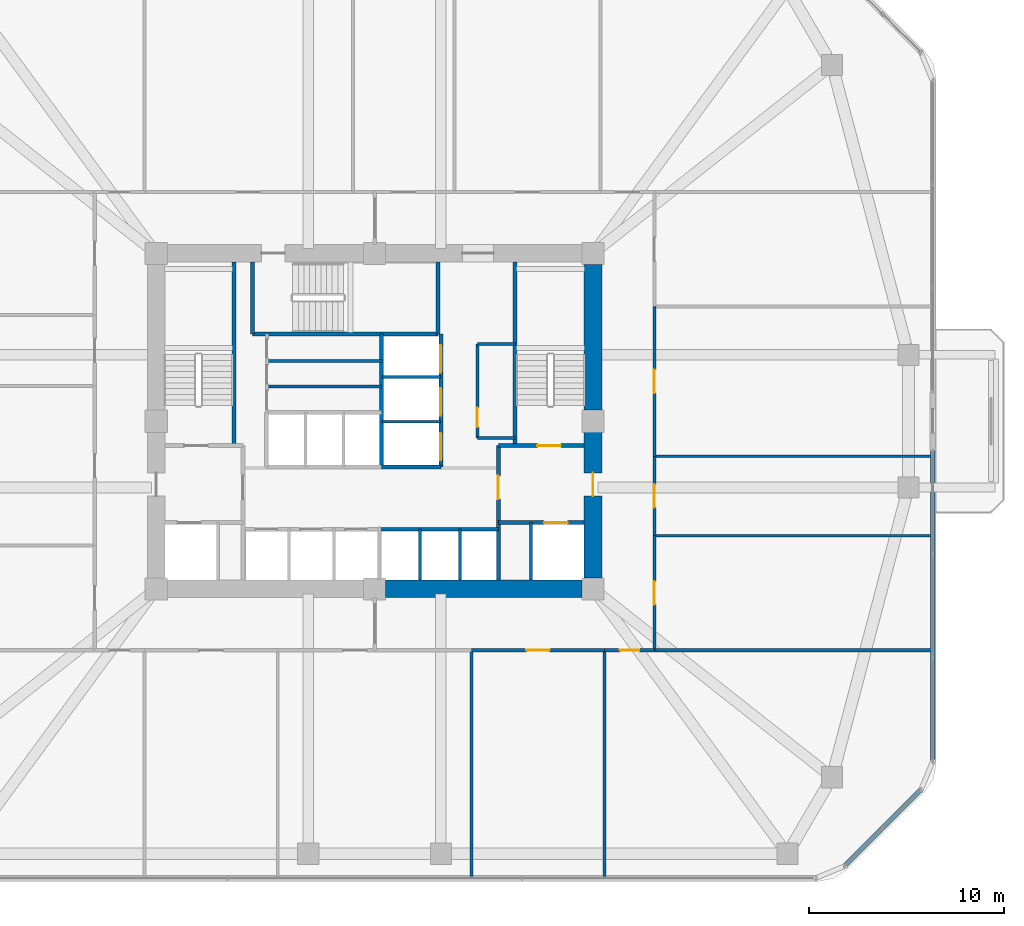
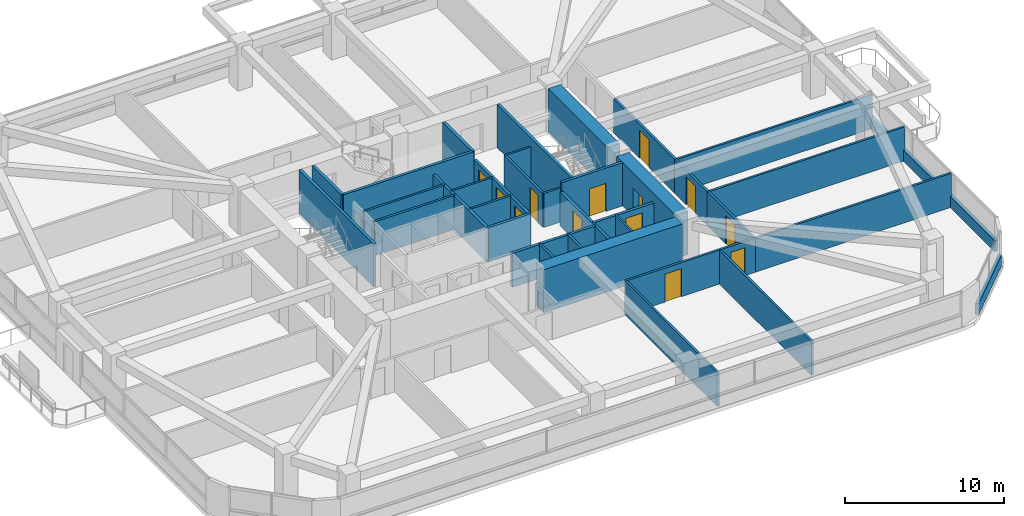
# One storey, part 11 of 15: 37 walls, 13 doors, 13 openings.
"""IFC4 building model written with IfcOpenShell, lengths in metres."""

from ifc_helpers import new_model, si_unit, derived_unit, direction, frame, frame_2d, origin, place, context, subcontext, project, spatial, rectangle, extrude, material, layer, layer_set, type_object, element, fill, save


model = new_model("IFC4")

# Units and contexts
model_context = context("Model", 3, precision=1e-05, world=origin(), true_north=direction((0.0, 1.0)))
body_context = subcontext(model_context, "Body", "Model", "MODEL_VIEW")
ifc_project = project(units=[si_unit("LENGTHUNIT", "METRE"), si_unit("AREAUNIT", "SQUARE_METRE"), si_unit("VOLUMEUNIT", "CUBIC_METRE"), si_unit("PLANEANGLEUNIT", "RADIAN"), si_unit("MASSUNIT", "GRAM", prefix="KILO"), derived_unit("THERMALTRANSMITTANCEUNIT", [(si_unit("POWERUNIT", "WATT"), 1), (si_unit("LENGTHUNIT", "METRE"), -2), (si_unit("THERMODYNAMICTEMPERATUREUNIT", "KELVIN"), -1)])], contexts=[model_context])

# Site, building, storey
site_placement = place(None, origin())
site = spatial("IfcSite", under=ifc_project, at=site_placement, CompositionType="ELEMENT")
building_placement = place(site_placement, origin())
building = spatial("IfcBuilding", under=site, at=building_placement, Name="Koralith Skygarden Medical Center", CompositionType="ELEMENT")
storey_placement = place(building_placement, frame((0.0, 0.0, 41.93994140625)))
storey = spatial("IfcBuildingStorey", under=building, at=storey_placement, Name="L10", CompositionType="ELEMENT", Elevation=41.93994140625)

# Wall, opening, door
ifc_material_1 = material(Name="Gypsum Board Partition")
ifc_layer_1 = layer(ifc_material_1, 0.14990234375)
ifc_layer_set_1 = layer_set([ifc_layer_1], Name="Gypsum Board Partition")
wall_type_1 = type_object("IfcWallType", Name="Clinical Acoustic Partition 150", PredefinedType="PARTITIONING", material=ifc_layer_set_1)
wall_1_placement = place(storey_placement, frame((42.27001953125, 25.0400390625, 0.0), z_axis=(0.0, 0.0, 1.0), x_axis=(0.0, 1.0, 0.0)))
wall_1 = element("IfcWall", 1, at=wall_1_placement, inside=storey, type_object=wall_type_1, Name="L10 Clinical Acoustic Partition 150 W-CORE-L10-ESUB-W", PredefinedType="PARTITIONING", context=body_context, shape_type="SweptSolid", body=[
    extrude(rectangle(XDim=4.820068359375, YDim=0.14990234375, at=frame_2d((2.41015625, 0.0))), origin(), (0.0, 0.0, 1.0), 2.610107421875),
])
opening_1_placement = place(wall_1_placement, frame((0.550048828125, 0.0, 0.0)))
opening_1 = element("IfcOpeningElement", 2, at=opening_1_placement, cuts=wall_1, Name="Opening D-SUP", PredefinedType="OPENING", context=body_context, shape_type="SweptSolid", body=[
    extrude(rectangle(XDim=1.0, YDim=2.14990234375, at=frame_2d((0.5, 1.074951171875))), frame((0.0, 0.0849609375, 0.0), z_axis=(0.0, -1.0, 0.0), x_axis=(1.0, 0.0, 0.0)), (0.0, 0.0, 1.0), 0.169921875),
])
ifc_material_2 = material(Name="Aluminium 6063-T6", Category="aluminium")
door_type_1 = type_object("IfcDoorType", Name="Clinical Support Door D-SUP 1000", OperationType="NOTDEFINED", PredefinedType="DOOR", material=ifc_material_2)
door_1_placement = place(opening_1_placement, origin())
door_1 = element("IfcDoor", 3, at=door_1_placement, inside=storey, type_object=door_type_1, Name="L10 Core Equipment Store Door", OperationType="SINGLE_SWING_LEFT", OverallHeight=2.14990234375, OverallWidth=1.0, PredefinedType="DOOR", context=body_context, shape_type="SweptSolid", body=[
    extrude(rectangle(XDim=1.0, YDim=2.14990234375, at=frame_2d((0.5, 1.074951171875))), frame((0.0, 0.02490234375, 0.0), z_axis=(0.0, -1.0, 0.0), x_axis=(1.0, 0.0, 0.0)), (0.0, 0.0, 1.0), 0.050048828125),
])
fill(opening_1, door_1)

# Walls
for number, where, z_axis, x_axis, name in (
    (4, (42.27001953125, 25.0400390625, 0.0), (0.0, 0.0, 1.0), (1.0, 0.0, 0.0), "L10 Clinical Acoustic Partition 150 W-CORE-L10-ESUB-S"),
    (5, (42.27001953125, 29.860107421875, 0.0), (0.0, 0.0, 1.0), (1.0, 0.0, 0.0), "L10 Clinical Acoustic Partition 150 W-CORE-L10-ESUB-N"),
):
    element("IfcWall", number, at=place(storey_placement, frame(where, z_axis=z_axis, x_axis=x_axis)), inside=storey, type_object=wall_type_1, Name=name, PredefinedType="PARTITIONING", context=body_context, shape_type="SweptSolid", body=[
        extrude(rectangle(XDim=1.929931640625, YDim=0.14990234375, at=frame_2d((0.96484375, 0.0))), origin(), (0.0, 0.0, 1.0), 2.610107421875),
    ])
wall_2_placement = place(storey_placement, frame((31.47998046875, 28.97998046875, 0.0), z_axis=(0.0, 0.0, 1.0), x_axis=(1.0, 0.0, 0.0)))
element("IfcWall", 6, at=wall_2_placement, inside=storey, type_object=wall_type_1, Name="L10 Clinical Acoustic Partition 150 W-CORE-L10-FLEX-H1B", PredefinedType="PARTITIONING", context=body_context, shape_type="SweptSolid", body=[
    extrude(rectangle(XDim=5.89013671875, YDim=0.14990234375, at=frame_2d((2.945068359375, 0.0))), origin(), (0.0, 0.0, 1.0), 2.610107421875),
])
for number, where, z_axis, x_axis, name in (
    (7, (41.964111328125, 14.14990234375, 0.0), (0.0, 0.0, 1.0), (0.0, -1.0, 0.0), "L10 Clinical Acoustic Partition 150 W-PART-L10-S-03"),
    (8, (48.800048828125, 14.14990234375, 0.0), (0.0, 0.0, 1.0), (0.0, -1.0, 0.0), "L10 Clinical Acoustic Partition 150 W-PART-L10-S-04"),
):
    element("IfcWall", number, at=place(storey_placement, frame(where, z_axis=z_axis, x_axis=x_axis)), inside=storey, type_object=wall_type_1, Name=name, PredefinedType="PARTITIONING", context=body_context, shape_type="SweptSolid", body=[
        extrude(rectangle(XDim=11.64990234375, YDim=0.14990234375, at=frame_2d((5.824951171875, 0.0))), origin(), (0.0, 0.0, 1.0), 2.610107421875),
    ])
for number, where, z_axis, x_axis, name in (
    (9, (51.35009765625, 20.02490234375, 0.0), (0.0, 0.0, 1.0), (1.0, 0.0, 0.0), "L10 Clinical Acoustic Partition 150 W-PART-L10-E-01"),
    (10, (51.35009765625, 24.10009765625, 0.0), (0.0, 0.0, 1.0), (1.0, 0.0, 0.0), "L10 Clinical Acoustic Partition 150 W-PART-L10-E-02"),
):
    element("IfcWall", number, at=place(storey_placement, frame(where, z_axis=z_axis, x_axis=x_axis)), inside=storey, type_object=wall_type_1, Name=name, PredefinedType="PARTITIONING", context=body_context, shape_type="SweptSolid", body=[
        extrude(rectangle(XDim=14.25, YDim=0.14990234375, at=frame_2d((7.125, 0.0))), origin(), (0.0, 0.0, 1.0), 2.610107421875),
    ])
ifc_layer_2 = layer(ifc_material_1, 0.1650390625)
ifc_layer_set_2 = layer_set([ifc_layer_2], Name="Gypsum Board Partition")
wall_type_2 = type_object("IfcWallType", Name="Clinical Corridor Partition 165", PredefinedType="PARTITIONING", material=ifc_layer_set_2)
wall_3_placement = place(storey_placement, frame((51.35009765625, 14.14990234375, 0.0), z_axis=(0.0, 0.0, 1.0), x_axis=(1.0, 0.0, 0.0)))
element("IfcWall", 11, at=wall_3_placement, inside=storey, type_object=wall_type_2, Name="L10 Clinical Corridor Partition 165 W-WB-L10-SE", PredefinedType="PARTITIONING", context=body_context, shape_type="SweptSolid", body=[
    extrude(rectangle(XDim=14.25, YDim=0.1650390625, at=frame_2d((7.125, 0.0))), origin(), (0.0, 0.0, 1.0), 2.610107421875),
])

# Wall, opening, door
wall_4_placement = place(storey_placement, frame((41.964111328125, 14.14990234375, 0.0), z_axis=(0.0, 0.0, 1.0), x_axis=(1.0, 0.0, 0.0)))
wall_4 = element("IfcWall", 12, at=wall_4_placement, inside=storey, type_object=wall_type_2, Name="L10 Clinical Corridor Partition 165 W-CORR-L10-S-04", PredefinedType="PARTITIONING", context=body_context, shape_type="SweptSolid", body=[
    extrude(rectangle(XDim=6.8359375, YDim=0.1650390625, at=frame_2d((3.41796875, 0.0))), origin(), (0.0, 0.0, 1.0), 2.610107421875),
])
opening_2_placement = place(wall_4_placement, frame((2.818115234375, 0.0, 0.0)))
opening_2 = element("IfcOpeningElement", 13, at=opening_2_placement, cuts=wall_4, Name="Opening D-CLN", PredefinedType="OPENING", context=body_context, shape_type="SweptSolid", body=[
    extrude(rectangle(XDim=1.199951171875, YDim=2.14990234375, at=frame_2d((0.60009765625, 1.074951171875))), frame((0.0, 0.092529296875, 0.0), z_axis=(0.0, -1.0, 0.0), x_axis=(1.0, 0.0, 0.0)), (0.0, 0.0, 1.0), 0.18505859375),
])
door_type_2 = type_object("IfcDoorType", Name="Clinical Corridor Door D-CLN 1200", OperationType="NOTDEFINED", PredefinedType="DOOR", material=ifc_material_2)
door_2_placement = place(opening_2_placement, frame((1.199951171875, 0.0, 0.0), z_axis=(0.0, 0.0, 1.0), x_axis=(-1.0, 0.0, 0.0)))
door_2 = element("IfcDoor", 14, at=door_2_placement, inside=storey, type_object=door_type_2, Name="L10 Family Waiting Sitting Lounge 09 Door", OperationType="SINGLE_SWING_RIGHT", OverallHeight=2.14990234375, OverallWidth=1.199951171875, PredefinedType="DOOR", context=body_context, shape_type="SweptSolid", body=[
    extrude(rectangle(XDim=1.199951171875, YDim=2.14990234375, at=frame_2d((0.60009765625, 1.074951171875))), frame((0.0, 0.02490234375, 0.0), z_axis=(0.0, -1.0, 0.0), x_axis=(1.0, 0.0, 0.0)), (0.0, 0.0, 1.0), 0.050048828125),
])
fill(opening_2, door_2)

wall_5_placement = place(storey_placement, frame((48.800048828125, 14.14990234375, 0.0), z_axis=(0.0, 0.0, 1.0), x_axis=(1.0, 0.0, 0.0)))
wall_5 = element("IfcWall", 15, at=wall_5_placement, inside=storey, type_object=wall_type_2, Name="L10 Clinical Corridor Partition 165 W-CORR-L10-S-05", PredefinedType="PARTITIONING", context=body_context, shape_type="SweptSolid", body=[
    extrude(rectangle(XDim=2.550048828125, YDim=0.1650390625, at=frame_2d((1.27490234375, 0.0))), origin(), (0.0, 0.0, 1.0), 2.610107421875),
])
opening_3_placement = place(wall_5_placement, frame((0.77490234375, 0.0, 0.0)))
opening_3 = element("IfcOpeningElement", 16, at=opening_3_placement, cuts=wall_5, Name="Opening D-SUP", PredefinedType="OPENING", context=body_context, shape_type="SweptSolid", body=[
    extrude(rectangle(XDim=1.0, YDim=2.14990234375, at=frame_2d((0.5, 1.074951171875))), frame((0.0, 0.092529296875, 0.0), z_axis=(0.0, -1.0, 0.0), x_axis=(1.0, 0.0, 0.0)), (0.0, 0.0, 1.0), 0.18505859375),
])
door_3_placement = place(opening_3_placement, frame((1.0, 0.0, 0.0), z_axis=(0.0, 0.0, 1.0), x_axis=(-1.0, 0.0, 0.0)))
door_3 = element("IfcDoor", 17, at=door_3_placement, inside=storey, type_object=door_type_1, Name="L10 Multidisciplinary Clinical Conference Room 10 Door", OperationType="SINGLE_SWING_LEFT", OverallHeight=2.14990234375, OverallWidth=1.0, PredefinedType="DOOR", context=body_context, shape_type="SweptSolid", body=[
    extrude(rectangle(XDim=1.0, YDim=2.14990234375, at=frame_2d((0.5, 1.074951171875))), frame((0.0, 0.02490234375, 0.0), z_axis=(0.0, -1.0, 0.0), x_axis=(1.0, 0.0, 0.0)), (0.0, 0.0, 1.0), 0.050048828125),
])
fill(opening_3, door_3)

wall_6_placement = place(storey_placement, frame((51.35009765625, 14.14990234375, 0.0), z_axis=(0.0, 0.0, 1.0), x_axis=(0.0, 1.0, 0.0)))
wall_6 = element("IfcWall", 18, at=wall_6_placement, inside=storey, type_object=wall_type_2, Name="L10 Clinical Corridor Partition 165 W-CORR-L10-E-01", PredefinedType="PARTITIONING", context=body_context, shape_type="SweptSolid", body=[
    extrude(rectangle(XDim=5.875, YDim=0.1650390625, at=frame_2d((2.9375, 0.0))), origin(), (0.0, 0.0, 1.0), 2.610107421875),
])
opening_4_placement = place(wall_6_placement, frame((2.3369140625, 0.0, 0.0)))
opening_4 = element("IfcOpeningElement", 19, at=opening_4_placement, cuts=wall_6, Name="Opening D-CLN", PredefinedType="OPENING", context=body_context, shape_type="SweptSolid", body=[
    extrude(rectangle(XDim=1.199951171875, YDim=2.14990234375, at=frame_2d((0.60009765625, 1.074951171875))), frame((0.0, 0.092529296875, 0.0), z_axis=(0.0, -1.0, 0.0), x_axis=(1.0, 0.0, 0.0)), (0.0, 0.0, 1.0), 0.18505859375),
])
door_4_placement = place(opening_4_placement, origin())
door_4 = element("IfcDoor", 20, at=door_4_placement, inside=storey, type_object=door_type_2, Name="L10 Outpatient Triage Exam Room 15 Door", OperationType="SINGLE_SWING_RIGHT", OverallHeight=2.14990234375, OverallWidth=1.199951171875, PredefinedType="DOOR", context=body_context, shape_type="SweptSolid", body=[
    extrude(rectangle(XDim=1.199951171875, YDim=2.14990234375, at=frame_2d((0.60009765625, 1.074951171875))), frame((0.0, 0.02490234375, 0.0), z_axis=(0.0, -1.0, 0.0), x_axis=(1.0, 0.0, 0.0)), (0.0, 0.0, 1.0), 0.050048828125),
])
fill(opening_4, door_4)

wall_7_placement = place(storey_placement, frame((51.35009765625, 20.02490234375, 0.0), z_axis=(0.0, 0.0, 1.0), x_axis=(0.0, 1.0, 0.0)))
wall_7 = element("IfcWall", 21, at=wall_7_placement, inside=storey, type_object=wall_type_2, Name="L10 Clinical Corridor Partition 165 W-CORR-L10-E-02", PredefinedType="PARTITIONING", context=body_context, shape_type="SweptSolid", body=[
    extrude(rectangle(XDim=4.0751953125, YDim=0.1650390625, at=frame_2d((2.03759765625, 0.0))), origin(), (0.0, 0.0, 1.0), 2.610107421875),
])
opening_5_placement = place(wall_7_placement, frame((1.43798828125, 0.0, 0.0)))
opening_5 = element("IfcOpeningElement", 22, at=opening_5_placement, cuts=wall_7, Name="Opening D-CLN", PredefinedType="OPENING", context=body_context, shape_type="SweptSolid", body=[
    extrude(rectangle(XDim=1.199951171875, YDim=2.14990234375, at=frame_2d((0.60009765625, 1.074951171875))), frame((0.0, 0.092529296875, 0.0), z_axis=(0.0, -1.0, 0.0), x_axis=(1.0, 0.0, 0.0)), (0.0, 0.0, 1.0), 0.18505859375),
])
door_5_placement = place(opening_5_placement, origin())
door_5 = element("IfcDoor", 23, at=door_5_placement, inside=storey, type_object=door_type_2, Name="L10 Clean Linen Supply Store 16 Door", OperationType="SINGLE_SWING_LEFT", OverallHeight=2.14990234375, OverallWidth=1.199951171875, PredefinedType="DOOR", context=body_context, shape_type="SweptSolid", body=[
    extrude(rectangle(XDim=1.199951171875, YDim=2.14990234375, at=frame_2d((0.60009765625, 1.074951171875))), frame((0.0, 0.02490234375, 0.0), z_axis=(0.0, -1.0, 0.0), x_axis=(1.0, 0.0, 0.0)), (0.0, 0.0, 1.0), 0.050048828125),
])
fill(opening_5, door_5)

wall_8_placement = place(storey_placement, frame((51.35009765625, 24.10009765625, 0.0), z_axis=(0.0, 0.0, 1.0), x_axis=(0.0, 1.0, 0.0)))
wall_8 = element("IfcWall", 24, at=wall_8_placement, inside=storey, type_object=wall_type_2, Name="L10 Clinical Corridor Partition 165 W-CORR-L10-E-03", PredefinedType="PARTITIONING", context=body_context, shape_type="SweptSolid", body=[
    extrude(rectangle(XDim=7.6748046875, YDim=0.1650390625, at=frame_2d((3.83740234375, 0.0))), origin(), (0.0, 0.0, 1.0), 2.610107421875),
])
opening_6_placement = place(wall_8_placement, frame((3.237060546875, 0.0, 0.0)))
opening_6 = element("IfcOpeningElement", 25, at=opening_6_placement, cuts=wall_8, Name="Opening D-CLN", PredefinedType="OPENING", context=body_context, shape_type="SweptSolid", body=[
    extrude(rectangle(XDim=1.199951171875, YDim=2.14990234375, at=frame_2d((0.60009765625, 1.074951171875))), frame((0.0, 0.092529296875, 0.0), z_axis=(0.0, -1.0, 0.0), x_axis=(1.0, 0.0, 0.0)), (0.0, 0.0, 1.0), 0.18505859375),
])
door_6_placement = place(opening_6_placement, origin())
door_6 = element("IfcDoor", 26, at=door_6_placement, inside=storey, type_object=door_type_2, Name="L10 Patient and Family Sky-Garden Day Lounge 17 Door", OperationType="SINGLE_SWING_RIGHT", OverallHeight=2.14990234375, OverallWidth=1.199951171875, PredefinedType="DOOR", context=body_context, shape_type="SweptSolid", body=[
    extrude(rectangle(XDim=1.199951171875, YDim=2.14990234375, at=frame_2d((0.60009765625, 1.074951171875))), frame((0.0, 0.02490234375, 0.0), z_axis=(0.0, -1.0, 0.0), x_axis=(1.0, 0.0, 0.0)), (0.0, 0.0, 1.0), 0.050048828125),
])
fill(opening_6, door_6)

ifc_layer_3 = layer(ifc_material_1, 0.199951171875)
ifc_layer_set_3 = layer_set([ifc_layer_3], Name="Gypsum Board Partition")
wall_type_3 = type_object("IfcWallType", Name="Fire Shaft Wall 200", PredefinedType="SOLIDWALL", material=ifc_layer_set_3)
wall_9_placement = place(storey_placement, frame((43.35009765625, 20.699951171875, 0.0), z_axis=(0.0, 0.0, 1.0), x_axis=(1.0, 0.0, 0.0)))
wall_9 = element("IfcWall", 27, at=wall_9_placement, inside=storey, type_object=wall_type_3, Name="L10 Fire Shaft Wall 200 W-CORE-L10-FF2-N", PredefinedType="SOLIDWALL", context=body_context, shape_type="SweptSolid", body=[
    extrude(rectangle(XDim=4.39990234375, YDim=0.199951171875, at=frame_2d((2.199951171875, 0.0))), origin(), (0.0, 0.0, 1.0), 2.610107421875),
])
opening_7_placement = place(wall_9_placement, frame((2.35009765625, 0.0, 0.0)))
opening_7 = element("IfcOpeningElement", 28, at=opening_7_placement, cuts=wall_9, Name="Opening LD-FF", PredefinedType="OPENING", context=body_context, shape_type="SweptSolid", body=[
    extrude(rectangle(XDim=1.199951171875, YDim=2.14990234375, at=frame_2d((0.60009765625, 1.074951171875))), frame((0.0, 0.10986328125, 0.0), z_axis=(0.0, -1.0, 0.0), x_axis=(1.0, 0.0, 0.0)), (0.0, 0.0, 1.0), 0.219970703125),
])
ifc_material_3 = material(Name="Steel ASTM A500 Grade C", Category="steel")
door_type_3 = type_object("IfcDoorType", Name="Fire Lift Sliding Landing Door LD-FF 1200", OperationType="NOTDEFINED", PredefinedType="DOOR", material=ifc_material_3)
door_7_placement = place(opening_7_placement, origin())
door_7 = element("IfcDoor", 29, at=door_7_placement, inside=storey, type_object=door_type_3, Name="L10 Fire Service Elevator FF2 Landing Door", OperationType="SLIDING_TO_RIGHT", OverallHeight=2.14990234375, OverallWidth=1.199951171875, PredefinedType="DOOR", context=body_context, shape_type="SweptSolid", body=[
    extrude(rectangle(XDim=1.199951171875, YDim=2.14990234375, at=frame_2d((0.60009765625, 1.074951171875))), frame((0.0, 0.02490234375, 0.0), z_axis=(0.0, -1.0, 0.0), x_axis=(1.0, 0.0, 0.0)), (0.0, 0.0, 1.0), 0.050048828125),
])
fill(opening_7, door_7)

wall_10_placement = place(storey_placement, frame((43.35009765625, 17.75, 0.0), z_axis=(0.0, 0.0, 1.0), x_axis=(0.0, 1.0, 0.0)))
wall_10 = element("IfcWall", 30, at=wall_10_placement, inside=storey, type_object=wall_type_3, Name="L10 Fire Shaft Wall 200 W-CORE-L10-FSAEE-W", PredefinedType="SOLIDWALL", context=body_context, shape_type="SweptSolid", body=[
    extrude(rectangle(XDim=6.89990234375, YDim=0.199951171875, at=frame_2d((3.449951171875, 0.0))), origin(), (0.0, 0.0, 1.0), 2.610107421875),
])
opening_8_placement = place(wall_10_placement, frame((4.14990234375, 0.0, 0.0)))
opening_8 = element("IfcOpeningElement", 31, at=opening_8_placement, cuts=wall_10, Name="Opening D-ST60", PredefinedType="OPENING", context=body_context, shape_type="SweptSolid", body=[
    extrude(rectangle(XDim=1.199951171875, YDim=2.14990234375, at=frame_2d((0.60009765625, 1.074951171875))), frame((0.0, 0.10986328125, 0.0), z_axis=(0.0, -1.0, 0.0), x_axis=(1.0, 0.0, 0.0)), (0.0, 0.0, 1.0), 0.219970703125),
])
door_type_4 = type_object("IfcDoorType", Name="Smokeproof Stair Fire Door FD60S 1200", OperationType="NOTDEFINED", PredefinedType="DOOR", material=ifc_material_3)
door_8_placement = place(opening_8_placement, frame((1.199951171875, 0.0, 0.0), z_axis=(0.0, 0.0, 1.0), x_axis=(-1.0, 0.0, 0.0)))
door_8 = element("IfcDoor", 32, at=door_8_placement, inside=storey, type_object=door_type_4, Name="L10 East Firefighting Lobby Inner Fire Door", OperationType="SINGLE_SWING_RIGHT", OverallHeight=2.14990234375, OverallWidth=1.199951171875, PredefinedType="DOOR", context=body_context, shape_type="SweptSolid", body=[
    extrude(rectangle(XDim=1.199951171875, YDim=2.14990234375, at=frame_2d((0.60009765625, 1.074951171875))), frame((0.0, 0.02490234375, 0.0), z_axis=(0.0, -1.0, 0.0), x_axis=(1.0, 0.0, 0.0)), (0.0, 0.0, 1.0), 0.050048828125),
])
fill(opening_8, door_8)

# Walls
wall_11_placement = place(storey_placement, frame((37.25, 20.360107421875, 0.0), z_axis=(0.0, 0.0, 1.0), x_axis=(1.0, 0.0, 0.0)))
element("IfcWall", 33, at=wall_11_placement, inside=storey, type_object=wall_type_3, Name="L10 Fire Shaft Wall 200 W-CORE-L10-PM-N", PredefinedType="SOLIDWALL", context=body_context, shape_type="SweptSolid", body=[
    extrude(rectangle(XDim=6.10009765625, YDim=0.199951171875, at=frame_2d((3.050048828125, 0.0))), origin(), (0.0, 0.0, 1.0), 2.610107421875),
])
wall_12_placement = place(storey_placement, frame((37.35009765625, 23.5400390625, 0.0), z_axis=(0.0, 0.0, 1.0), x_axis=(0.0, 1.0, 0.0)))
element("IfcWall", 34, at=wall_12_placement, inside=storey, type_object=wall_type_3, Name="L10 Fire Shaft Wall 200 W-CORE-L10-SV-W", PredefinedType="SOLIDWALL", context=body_context, shape_type="SweptSolid", body=[
    extrude(rectangle(XDim=6.820068359375, YDim=0.199951171875, at=frame_2d((3.41015625, 0.0))), origin(), (0.0, 0.0, 1.0), 2.610107421875),
])
wall_13_placement = place(storey_placement, frame((37.35009765625, 23.5400390625, 0.0), z_axis=(0.0, 0.0, 1.0), x_axis=(1.0, 0.0, 0.0)))
element("IfcWall", 35, at=wall_13_placement, inside=storey, type_object=wall_type_3, Name="L10 Fire Shaft Wall 200 W-CORE-L10-SV-S", PredefinedType="SOLIDWALL", context=body_context, shape_type="SweptSolid", body=[
    extrude(rectangle(XDim=3.0498046875, YDim=0.199951171875, at=frame_2d((1.52490234375, 0.0))), origin(), (0.0, 0.0, 1.0), 2.610107421875),
])

# Wall, openings, doors
wall_14_placement = place(storey_placement, frame((40.39990234375, 23.5400390625, 0.0), z_axis=(0.0, 0.0, 1.0), x_axis=(0.0, 1.0, 0.0)))
wall_14 = element("IfcWall", 36, at=wall_14_placement, inside=storey, type_object=wall_type_3, Name="L10 Fire Shaft Wall 200 W-CORE-L10-SV-E", PredefinedType="SOLIDWALL", context=body_context, shape_type="SweptSolid", body=[
    extrude(rectangle(XDim=6.820068359375, YDim=0.199951171875, at=frame_2d((3.41015625, 0.0))), origin(), (0.0, 0.0, 1.0), 2.610107421875),
])
opening_9_placement = place(wall_14_placement, frame((0.35009765625, 0.0, 0.0)))
opening_9 = element("IfcOpeningElement", 37, at=opening_9_placement, cuts=wall_14, Name="Opening LD-SV", PredefinedType="OPENING", context=body_context, shape_type="SweptSolid", body=[
    extrude(rectangle(XDim=1.39990234375, YDim=2.199951171875, at=frame_2d((0.699951171875, 1.10009765625))), frame((0.0, 0.10986328125, 0.0), z_axis=(0.0, -1.0, 0.0), x_axis=(1.0, 0.0, 0.0)), (0.0, 0.0, 1.0), 0.219970703125),
])
opening_10_placement = place(wall_14_placement, frame((2.64990234375, 0.0, 0.0)))
opening_10 = element("IfcOpeningElement", 38, at=opening_10_placement, cuts=wall_14, Name="Opening LD-SV", PredefinedType="OPENING", context=body_context, shape_type="SweptSolid", body=[
    extrude(rectangle(XDim=1.39990234375, YDim=2.199951171875, at=frame_2d((0.699951171875, 1.10009765625))), frame((0.0, 0.10986328125, 0.0), z_axis=(0.0, -1.0, 0.0), x_axis=(1.0, 0.0, 0.0)), (0.0, 0.0, 1.0), 0.219970703125),
])
opening_11_placement = place(wall_14_placement, frame((4.85009765625, 0.0, 0.0)))
opening_11 = element("IfcOpeningElement", 39, at=opening_11_placement, cuts=wall_14, Name="Opening LD-SV", PredefinedType="OPENING", context=body_context, shape_type="SweptSolid", body=[
    extrude(rectangle(XDim=1.39990234375, YDim=2.199951171875, at=frame_2d((0.699951171875, 1.10009765625))), frame((0.0, 0.10986328125, 0.0), z_axis=(0.0, -1.0, 0.0), x_axis=(1.0, 0.0, 0.0)), (0.0, 0.0, 1.0), 0.219970703125),
])
door_type_5 = type_object("IfcDoorType", Name="Bed Lift Sliding Landing Door LD-SV 1400", OperationType="NOTDEFINED", PredefinedType="DOOR", material=ifc_material_3)
door_9_placement = place(opening_9_placement, origin())
door_9 = element("IfcDoor", 40, at=door_9_placement, inside=storey, type_object=door_type_5, Name="L10 Bed Elevator BD1 Landing Door", OperationType="SLIDING_TO_LEFT", OverallHeight=2.199951171875, OverallWidth=1.39990234375, PredefinedType="DOOR", context=body_context, shape_type="SweptSolid", body=[
    extrude(rectangle(XDim=1.39990234375, YDim=2.199951171875, at=frame_2d((0.699951171875, 1.10009765625))), frame((0.0, 0.02490234375, 0.0), z_axis=(0.0, -1.0, 0.0), x_axis=(1.0, 0.0, 0.0)), (0.0, 0.0, 1.0), 0.050048828125),
])
fill(opening_9, door_9)
door_10_placement = place(opening_10_placement, origin())
door_10 = element("IfcDoor", 41, at=door_10_placement, inside=storey, type_object=door_type_5, Name="L10 Service Elevator BD2 Landing Door", OperationType="SLIDING_TO_LEFT", OverallHeight=2.199951171875, OverallWidth=1.39990234375, PredefinedType="DOOR", context=body_context, shape_type="SweptSolid", body=[
    extrude(rectangle(XDim=1.39990234375, YDim=2.199951171875, at=frame_2d((0.699951171875, 1.10009765625))), frame((0.0, 0.02490234375, 0.0), z_axis=(0.0, -1.0, 0.0), x_axis=(1.0, 0.0, 0.0)), (0.0, 0.0, 1.0), 0.050048828125),
])
fill(opening_10, door_10)
door_11_placement = place(opening_11_placement, origin())
door_11 = element("IfcDoor", 42, at=door_11_placement, inside=storey, type_object=door_type_5, Name="L10 Trauma Elevator TR1 Landing Door", OperationType="SLIDING_TO_RIGHT", OverallHeight=2.199951171875, OverallWidth=1.39990234375, PredefinedType="DOOR", context=body_context, shape_type="SweptSolid", body=[
    extrude(rectangle(XDim=1.39990234375, YDim=2.199951171875, at=frame_2d((0.699951171875, 1.10009765625))), frame((0.0, 0.02490234375, 0.0), z_axis=(0.0, -1.0, 0.0), x_axis=(1.0, 0.0, 0.0)), (0.0, 0.0, 1.0), 0.050048828125),
])
fill(opening_11, door_11)

# Walls
ifc_material_4 = material(Name="Warm Oolitic Limestone Cladding", Category="masonry")
ifc_layer_4 = layer(ifc_material_4, 0.239990234375)
ifc_layer_set_4 = layer_set([ifc_layer_4], Name="Warm Oolitic Limestone Cladding")
wall_type_4 = type_object("IfcWallType", Name="Limestone Spandrel Sill Backup Wall 240", PredefinedType="SOLIDWALL", material=ifc_layer_set_4)
wall_15_placement = place(storey_placement, frame((61.095947265625, 3.0810546875, 0.0), z_axis=(0.0, 0.0, 1.0), x_axis=(0.707128783731, 0.707084777957, 0.0)))
element("IfcWall", 43, at=wall_15_placement, inside=storey, type_object=wall_type_4, Name="L10 Sill Spandrel SE", PredefinedType="SOLIDWALL", context=body_context, shape_type="SweptSolid", body=[
    extrude(rectangle(XDim=5.5478515625, YDim=0.239990234375, at=frame_2d((2.77392578125, 0.0))), origin(), (0.0, 0.0, 1.0), 0.85009765625),
])
wall_16_placement = place(storey_placement, frame((65.6201171875, 8.455078125, 0.0), z_axis=(0.0, 0.0, 1.0), x_axis=(0.0, 1.0, 0.0)))
element("IfcWall", 44, at=wall_16_placement, inside=storey, type_object=wall_type_4, Name="L10 Sill Spandrel E-L", PredefinedType="SOLIDWALL", context=body_context, shape_type="SweptSolid", body=[
    extrude(rectangle(XDim=15.905029296875, YDim=0.239990234375, at=frame_2d((7.95263671875, 0.0))), origin(), (0.0, 0.0, 1.0), 0.85009765625),
])
ifc_material_5 = material(Name="Concrete C70/85", Category="concrete")
ifc_layer_5 = layer(ifc_material_5, 0.89990234375)
ifc_layer_set_5 = layer_set([ifc_layer_5], Name="Concrete C70/85")
wall_type_5 = type_object("IfcWallType", Name="Lower Core Shear Wall 900", PredefinedType="SHEAR", material=ifc_layer_set_5)
wall_17_placement = place(storey_placement, frame((37.56494140625, 17.300048828125, 0.0), z_axis=(0.0, 0.0, 1.0), x_axis=(1.0, 0.0, 0.0)))
element("IfcWall", 45, at=wall_17_placement, inside=storey, type_object=wall_type_5, Name="L10 Core Shear Wall Segment 2", PredefinedType="SHEAR", context=body_context, shape_type="SweptSolid", body=[
    extrude(rectangle(XDim=10.070068359375, YDim=0.89990234375, at=frame_2d((5.03515625, 0.0))), origin(), (0.0, 0.0, 1.0), 3.320068359375),
])

# Wall, opening, door
wall_18_placement = place(storey_placement, frame((48.199951171875, 17.864990234375, 0.0), z_axis=(0.0, 0.0, 1.0), x_axis=(0.0, 1.0, 0.0)))
wall_18 = element("IfcWall", 46, at=wall_18_placement, inside=storey, type_object=wall_type_5, Name="L10 Core Shear Wall Segment 3", PredefinedType="SHEAR", context=body_context, shape_type="SweptSolid", body=[
    extrude(rectangle(XDim=7.469970703125, YDim=0.89990234375, at=frame_2d((3.73486328125, 0.0))), origin(), (0.0, 0.0, 1.0), 3.320068359375),
])
opening_12_placement = place(wall_18_placement, frame((4.18505859375, 0.0, 0.0)))
opening_12 = element("IfcOpeningElement", 47, at=opening_12_placement, cuts=wall_18, Name="Opening D-ST60", PredefinedType="OPENING", context=body_context, shape_type="SweptSolid", body=[
    extrude(rectangle(XDim=1.199951171875, YDim=2.14990234375, at=frame_2d((0.60009765625, 1.074951171875))), frame((0.0, 0.4599609375, 0.0), z_axis=(0.0, -1.0, 0.0), x_axis=(1.0, 0.0, 0.0)), (0.0, 0.0, 1.0), 0.919921875),
])
door_12_placement = place(opening_12_placement, frame((1.199951171875, 0.0, 0.0), z_axis=(0.0, 0.0, 1.0), x_axis=(-1.0, 0.0, 0.0)))
door_12 = element("IfcDoor", 48, at=door_12_placement, inside=storey, type_object=door_type_4, Name="L10 East Corridor to Firefighting Lobby Door", OperationType="SINGLE_SWING_RIGHT", OverallHeight=2.14990234375, OverallWidth=1.199951171875, PredefinedType="DOOR", context=body_context, shape_type="SweptSolid", body=[
    extrude(rectangle(XDim=1.199951171875, YDim=2.14990234375, at=frame_2d((0.60009765625, 1.074951171875))), frame((0.0, 0.02490234375, 0.0), z_axis=(0.0, -1.0, 0.0), x_axis=(1.0, 0.0, 0.0)), (0.0, 0.0, 1.0), 0.050048828125),
])
fill(opening_12, door_12)

# Walls
wall_19_placement = place(storey_placement, frame((48.199951171875, 26.465087890625, 0.0), z_axis=(0.0, 0.0, 1.0), x_axis=(0.0, 1.0, 0.0)))
element("IfcWall", 49, at=wall_19_placement, inside=storey, type_object=wall_type_5, Name="L10 Core Shear Wall Segment 4", PredefinedType="SHEAR", context=body_context, shape_type="SweptSolid", body=[
    extrude(rectangle(XDim=7.469970703125, YDim=0.89990234375, at=frame_2d((3.73486328125, 0.0))), origin(), (0.0, 0.0, 1.0), 3.320068359375),
])
ifc_layer_6 = layer(ifc_material_1, 0.1650390625)
ifc_layer_set_6 = layer_set([ifc_layer_6], Name="Gypsum Board Partition")
wall_type_6 = type_object("IfcWallType", Name="Plumbing Wet Wall 165", PredefinedType="PLUMBINGWALL", material=ifc_layer_set_6)
wall_20_placement = place(storey_placement, frame((31.47998046875, 27.679931640625, 0.0), z_axis=(0.0, 0.0, 1.0), x_axis=(1.0, 0.0, 0.0)))
element("IfcWall", 50, at=wall_20_placement, inside=storey, type_object=wall_type_6, Name="L10 Plumbing Wet Wall 165 W-CORE-L10-FLEX-H1A", PredefinedType="PLUMBINGWALL", context=body_context, shape_type="SweptSolid", body=[
    extrude(rectangle(XDim=5.8701171875, YDim=0.1650390625, at=frame_2d((2.93505859375, 0.0))), origin(), (0.0, 0.0, 1.0), 2.610107421875),
])
ifc_layer_7 = layer(ifc_material_1, 0.14990234375)
ifc_layer_set_7 = layer_set([ifc_layer_7], Name="Gypsum Board Partition")
wall_type_7 = type_object("IfcWallType", Name="Shaft Partition Wall 150", PredefinedType="PARTITIONING", material=ifc_layer_set_7)
wall_21_placement = place(storey_placement, frame((45.02001953125, 17.75, 0.0), z_axis=(0.0, 0.0, 1.0), x_axis=(0.0, 1.0, 0.0)))
element("IfcWall", 51, at=wall_21_placement, inside=storey, type_object=wall_type_7, Name="L10 Shaft Partition Wall 150 W-CORE-L10-RSRE-DIV", PredefinedType="PARTITIONING", context=body_context, shape_type="SweptSolid", body=[
    extrude(rectangle(XDim=2.949951171875, YDim=0.14990234375, at=frame_2d((1.47509765625, 0.0))), origin(), (0.0, 0.0, 1.0), 2.610107421875),
])
for number, where, z_axis, x_axis, name in (
    (52, (39.320068359375, 17.75, 0.0), (0.0, 0.0, 1.0), (0.0, 1.0, 0.0), "L10 Shaft Partition Wall 150 W-CORE-L10-PM-D1"),
    (53, (41.3701171875, 17.75, 0.0), (0.0, 0.0, 1.0), (0.0, 1.0, 0.0), "L10 Shaft Partition Wall 150 W-CORE-L10-PM-D2"),
):
    element("IfcWall", number, at=place(storey_placement, frame(where, z_axis=z_axis, x_axis=x_axis)), inside=storey, type_object=wall_type_7, Name=name, PredefinedType="PARTITIONING", context=body_context, shape_type="SweptSolid", body=[
        extrude(rectangle(XDim=2.610107421875, YDim=0.14990234375, at=frame_2d((1.30517578125, 0.0))), origin(), (0.0, 0.0, 1.0), 2.610107421875),
    ])
for number, where, z_axis, x_axis, name in (
    (54, (37.3701171875, 25.8701171875, 0.0), (0.0, 0.0, 1.0), (1.0, 0.0, 0.0), "L10 Shaft Partition Wall 150 W-CORE-L10-SV-D1"),
    (55, (37.3701171875, 28.169921875, 0.0), (0.0, 0.0, 1.0), (1.0, 0.0, 0.0), "L10 Shaft Partition Wall 150 W-CORE-L10-SV-D2"),
):
    element("IfcWall", number, at=place(storey_placement, frame(where, z_axis=z_axis, x_axis=x_axis)), inside=storey, type_object=wall_type_7, Name=name, PredefinedType="PARTITIONING", context=body_context, shape_type="SweptSolid", body=[
        extrude(rectangle(XDim=3.009765625, YDim=0.14990234375, at=frame_2d((1.5048828125, 0.0))), origin(), (0.0, 0.0, 1.0), 2.610107421875),
    ])
ifc_material_6 = material(Name="Concrete C45/55", Category="concrete")
ifc_layer_8 = layer(ifc_material_6, 0.199951171875)
ifc_layer_set_8 = layer_set([ifc_layer_8], Name="Concrete C45/55")
wall_type_8 = type_object("IfcWallType", Name="Structural Stair Shaft Wall 200", PredefinedType="SHEAR", material=ifc_layer_set_8)
for number, where, z_axis, x_axis, name in (
    (56, (29.800048828125, 24.64990234375, 0.0), (0.0, 0.0, 1.0), (0.0, 1.0, 0.0), "L10 Structural Stair Shaft Wall 200 W-CORE-L10-ST1-E"),
    (57, (44.199951171875, 24.64990234375, 0.0), (0.0, 0.0, 1.0), (0.0, 1.0, 0.0), "L10 Structural Stair Shaft Wall 200 W-CORE-L10-ST2-W"),
):
    element("IfcWall", number, at=place(storey_placement, frame(where, z_axis=z_axis, x_axis=x_axis)), inside=storey, type_object=wall_type_8, Name=name, PredefinedType="SHEAR", context=body_context, shape_type="SweptSolid", body=[
        extrude(rectangle(XDim=9.400146484375, YDim=0.199951171875, at=frame_2d((4.7001953125, 0.0))), origin(), (0.0, 0.0, 1.0), 3.320068359375),
    ])

# Wall, opening, door
wall_22_placement = place(storey_placement, frame((43.35009765625, 24.64990234375, 0.0), z_axis=(0.0, 0.0, 1.0), x_axis=(1.0, 0.0, 0.0)))
wall_22 = element("IfcWall", 58, at=wall_22_placement, inside=storey, type_object=wall_type_8, Name="L10 Structural Stair Shaft Wall 200 W-CORE-L10-ST2-S", PredefinedType="SHEAR", context=body_context, shape_type="SweptSolid", body=[
    extrude(rectangle(XDim=4.39990234375, YDim=0.199951171875, at=frame_2d((2.199951171875, 0.0))), origin(), (0.0, 0.0, 1.0), 3.320068359375),
])
opening_13_placement = place(wall_22_placement, frame((2.0, 0.0, 0.0)))
opening_13 = element("IfcOpeningElement", 59, at=opening_13_placement, cuts=wall_22, Name="Opening D-ST60", PredefinedType="OPENING", context=body_context, shape_type="SweptSolid", body=[
    extrude(rectangle(XDim=1.199951171875, YDim=2.14990234375, at=frame_2d((0.60009765625, 1.074951171875))), frame((0.0, 0.10986328125, 0.0), z_axis=(0.0, -1.0, 0.0), x_axis=(1.0, 0.0, 0.0)), (0.0, 0.0, 1.0), 0.219970703125),
])
door_13_placement = place(opening_13_placement, origin())
door_13 = element("IfcDoor", 60, at=door_13_placement, inside=storey, type_object=door_type_4, Name="L10 Exit Stair ST2 Fire Door", OperationType="SINGLE_SWING_RIGHT", OverallHeight=2.14990234375, OverallWidth=1.199951171875, PredefinedType="DOOR", context=body_context, shape_type="SweptSolid", body=[
    extrude(rectangle(XDim=1.199951171875, YDim=2.14990234375, at=frame_2d((0.60009765625, 1.074951171875))), frame((0.0, 0.02490234375, 0.0), z_axis=(0.0, -1.0, 0.0), x_axis=(1.0, 0.0, 0.0)), (0.0, 0.0, 1.0), 0.050048828125),
])
fill(opening_13, door_13)

# Walls
wall_23_placement = place(storey_placement, frame((30.75, 30.360107421875, 0.0), z_axis=(0.0, 0.0, 1.0), x_axis=(1.0, 0.0, 0.0)))
element("IfcWall", 61, at=wall_23_placement, inside=storey, type_object=wall_type_8, Name="L10 Structural Stair Shaft Wall 200 W-CORE-L10-ST3-S", PredefinedType="SHEAR", context=body_context, shape_type="SweptSolid", body=[
    extrude(rectangle(XDim=9.5, YDim=0.199951171875, at=frame_2d((4.75, 0.0))), origin(), (0.0, 0.0, 1.0), 3.320068359375),
])
for number, where, z_axis, x_axis, name in (
    (62, (30.75, 30.360107421875, 0.0), (0.0, 0.0, 1.0), (0.0, 1.0, 0.0), "L10 Structural Stair Shaft Wall 200 W-CORE-L10-ST3-W"),
    (63, (40.25, 30.360107421875, 0.0), (0.0, 0.0, 1.0), (0.0, 1.0, 0.0), "L10 Structural Stair Shaft Wall 200 W-CORE-L10-ST3-E"),
):
    element("IfcWall", number, at=place(storey_placement, frame(where, z_axis=z_axis, x_axis=x_axis)), inside=storey, type_object=wall_type_8, Name=name, PredefinedType="SHEAR", context=body_context, shape_type="SweptSolid", body=[
        extrude(rectangle(XDim=3.68994140625, YDim=0.199951171875, at=frame_2d((1.844970703125, 0.0))), origin(), (0.0, 0.0, 1.0), 3.320068359375),
    ])

save(model, "model.ifc")
